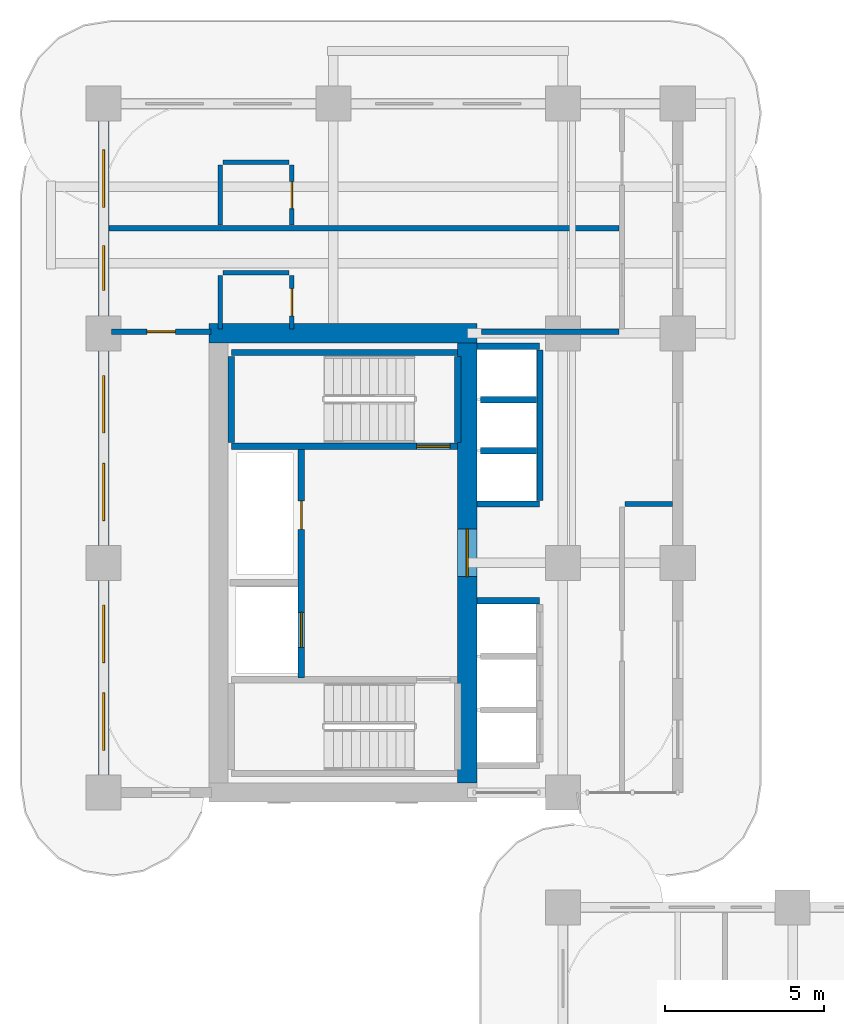
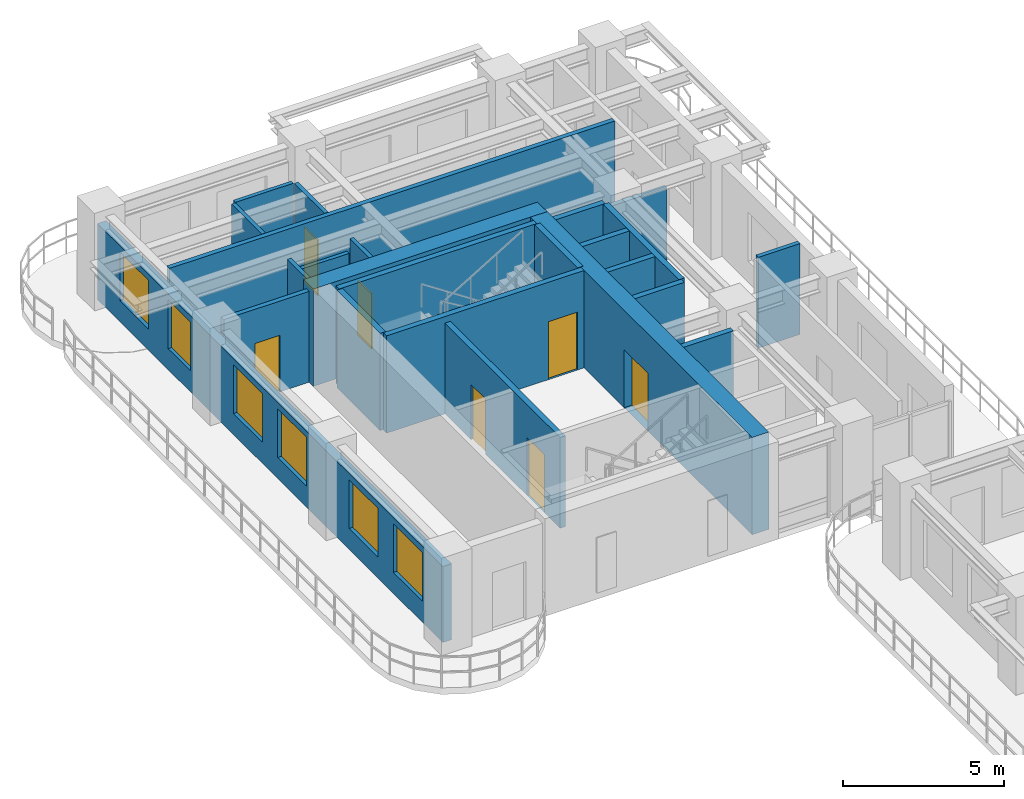
# One storey, part 11 of 19: 24 walls, 7 doors, 6 windows, 13 openings.
"""IFC4 building model written with IfcOpenShell, lengths in metres."""

from ifc_helpers import new_model, si_unit, derived_unit, direction, frame, frame_2d, origin, place, context, subcontext, project, spatial, rectangle, extrude, source, transform, mapped, material, layer, layer_set, type_object, type_shapes, element, fill, save


model = new_model("IFC4")

# Units and contexts
model_context = context("Model", 3, precision=1e-05, world=origin(), true_north=direction((0.0, 1.0)))
body_context = subcontext(model_context, "Body", "Model", "MODEL_VIEW")
ifc_project = project(units=[si_unit("LENGTHUNIT", "METRE"), si_unit("AREAUNIT", "SQUARE_METRE"), si_unit("VOLUMEUNIT", "CUBIC_METRE"), si_unit("PLANEANGLEUNIT", "RADIAN"), si_unit("MASSUNIT", "GRAM", prefix="KILO"), si_unit("THERMODYNAMICTEMPERATUREUNIT", "KELVIN"), si_unit("POWERUNIT", "WATT"), derived_unit("THERMALTRANSMITTANCEUNIT", [(si_unit("POWERUNIT", "WATT"), 1), (si_unit("AREAUNIT", "SQUARE_METRE"), -1), (si_unit("THERMODYNAMICTEMPERATUREUNIT", "KELVIN"), -1)])], contexts=[model_context])

# Site, building, storey
site_placement = place(None, origin())
site = spatial("IfcSite", under=ifc_project, at=site_placement, CompositionType="ELEMENT")
building_placement = place(site_placement, origin())
building = spatial("IfcBuilding", under=site, at=building_placement, Name="Zahravan Archway Hotel and Residences", CompositionType="ELEMENT")
storey_placement = place(building_placement, frame((0.0, 0.0, 32.39990234375)))
storey = spatial("IfcBuildingStorey", under=building, at=storey_placement, Name="L06", CompositionType="ELEMENT", Elevation=32.39990234375)

# Wall
ifc_material_1 = material(Name="Concrete C70/85", Category="concrete")
ifc_layer_1 = layer(ifc_material_1, 0.60009765625, Name="Concrete C70/85", Category="concrete")
ifc_layer_set_1 = layer_set([ifc_layer_1], Name="Concrete C70/85")
wall_type_1 = type_object("IfcWallType", Name="CW-CORE-600", PredefinedType="SHEAR", material=ifc_layer_set_1)
wall_1_placement = place(storey_placement, frame((3.300048828125, 39.60009765625, 0.0), z_axis=(0.0, 0.0, 1.0), x_axis=(1.0, 0.0, 0.0)))
element("IfcWall", 1, at=wall_1_placement, inside=storey, type_object=wall_type_1, Name="L06 Core B Shear N Wall 600 mm", PredefinedType="SHEAR", context=body_context, shape_type="SweptSolid", body=[
    extrude(rectangle(XDim=8.39990234375, YDim=0.60009765625, at=frame_2d((4.199951171875, 0.0))), origin(), (0.0, 0.0, 1.0), 3.7001953125),
])

# Wall, opening, door
wall_2_placement = place(storey_placement, frame((11.39990234375, 25.5, 0.0), z_axis=(0.0, 0.0, 1.0), x_axis=(0.0, 1.0, 0.0)))
wall_2 = element("IfcWall", 2, at=wall_2_placement, inside=storey, type_object=wall_type_1, Name="L06 Core B Shear E Wall 600 mm", PredefinedType="SHEAR", context=body_context, shape_type="SweptSolid", body=[
    extrude(rectangle(XDim=13.800048828125, YDim=0.60009765625, at=frame_2d((6.89990234375, 0.0))), origin(), (0.0, 0.0, 1.0), 3.7001953125),
])
opening_1_placement = place(wall_2_placement, frame((6.469970703125, 0.0, 0.0)))
opening_1 = element("IfcOpeningElement", 3, at=opening_1_placement, cuts=wall_2, Name="Opening FD-L1", PredefinedType="OPENING", context=body_context, shape_type="SweptSolid", body=[
    extrude(rectangle(XDim=1.5, YDim=2.199951171875, at=frame_2d((0.75, 1.10009765625))), frame((0.0, 0.31005859375, 0.0), z_axis=(0.0, -1.0, 0.0), x_axis=(1.0, 0.0, 0.0)), (0.0, 0.0, 1.0), 0.6201171875),
])
ifc_material_2 = material(Name="Fire-Rated Painted Steel", Category="steel")
door_type_1 = type_object("IfcDoorType", Name="FD-LOBBY-1500", OperationType="DOUBLE_DOOR_SINGLE_SWING", PredefinedType="DOOR", material=ifc_material_2)
shared_shape_1 = source(origin(), body_context, "Body", "SweptSolid", [
    extrude(rectangle(XDim=1.5, YDim=2.199951171875, at=frame_2d((0.75, 1.10009765625))), frame((0.0, 0.02490234375, 0.0), z_axis=(0.0, -1.0, 0.0), x_axis=(1.0, 0.0, 0.0)), (0.0, 0.0, 1.0), 0.050048828125),
])
type_shapes(door_type_1, [shared_shape_1])
door_1_placement = place(opening_1_placement, origin())
door_1 = element("IfcDoor", 4, at=door_1_placement, inside=storey, type_object=door_type_1, Name="L06 Core B FSAE Lobby Door", OperationType="DOUBLE_DOOR_SINGLE_SWING", OverallHeight=2.199951171875, OverallWidth=1.5, PredefinedType="DOOR", context=body_context, shape_type="MappedRepresentation", body=[
    mapped(shared_shape_1, transform((0.0, 0.0, 0.0), scale=1.0)),
])
fill(opening_1, door_1)

# Wall, openings, windows
ifc_material_3 = material(Name="Agra Buff Sandstone & Insulated Backup", Category="masonry")
ifc_layer_2 = layer(ifc_material_3, 0.320068359375, Name="Agra Buff Sandstone & Insulated Backup", Category="masonry")
ifc_layer_set_2 = layer_set([ifc_layer_2], Name="Agra Buff Sandstone & Insulated Backup")
wall_type_2 = type_object("IfcWallType", Name="EW-SAND-320", PredefinedType="SOLIDWALL", material=ifc_layer_set_2)
wall_3_placement = place(storey_placement, frame((0.0, 25.25, 0.0), z_axis=(0.0, 0.0, 1.0), x_axis=(0.0, 1.0, 0.0)))
wall_3 = element("IfcWall", 5, at=wall_3_placement, inside=storey, type_object=wall_type_2, Name="L06 Exterior Sandstone Wall WB-W", PredefinedType="SOLIDWALL", context=body_context, shape_type="SweptSolid", body=[
    extrude(rectangle(XDim=21.5, YDim=0.320068359375, at=frame_2d((10.75, 0.0))), origin(), (0.0, 0.0, 1.0), 2.885009765625),
])
opening_2_placement = place(wall_3_placement, frame((1.27490234375, 0.0, 0.800048828125)))
opening_2 = element("IfcOpeningElement", 6, at=opening_2_placement, cuts=wall_3, Name="Opening W-02", PredefinedType="OPENING", context=body_context, shape_type="SweptSolid", body=[
    extrude(rectangle(XDim=1.800048828125, YDim=1.85009765625, at=frame_2d((0.89990234375, 0.925048828125))), frame((0.0, 0.169921875, 0.0), z_axis=(0.0, -1.0, 0.0), x_axis=(1.0, 0.0, 0.0)), (0.0, 0.0, 1.0), 0.340087890625),
])
opening_3_placement = place(wall_3_placement, frame((4.02490234375, 0.0, 0.800048828125)))
opening_3 = element("IfcOpeningElement", 7, at=opening_3_placement, cuts=wall_3, Name="Opening W-02", PredefinedType="OPENING", context=body_context, shape_type="SweptSolid", body=[
    extrude(rectangle(XDim=1.800048828125, YDim=1.85009765625, at=frame_2d((0.89990234375, 0.925048828125))), frame((0.0, 0.169921875, 0.0), z_axis=(0.0, -1.0, 0.0), x_axis=(1.0, 0.0, 0.0)), (0.0, 0.0, 1.0), 0.340087890625),
])
opening_4_placement = place(wall_3_placement, frame((8.47509765625, 0.0, 0.800048828125)))
opening_4 = element("IfcOpeningElement", 8, at=opening_4_placement, cuts=wall_3, Name="Opening W-02", PredefinedType="OPENING", context=body_context, shape_type="SweptSolid", body=[
    extrude(rectangle(XDim=1.800048828125, YDim=1.85009765625, at=frame_2d((0.89990234375, 0.925048828125))), frame((0.0, 0.169921875, 0.0), z_axis=(0.0, -1.0, 0.0), x_axis=(1.0, 0.0, 0.0)), (0.0, 0.0, 1.0), 0.340087890625),
])
opening_5_placement = place(wall_3_placement, frame((11.22509765625, 0.0, 0.800048828125)))
opening_5 = element("IfcOpeningElement", 9, at=opening_5_placement, cuts=wall_3, Name="Opening W-02", PredefinedType="OPENING", context=body_context, shape_type="SweptSolid", body=[
    extrude(rectangle(XDim=1.800048828125, YDim=1.85009765625, at=frame_2d((0.89990234375, 0.925048828125))), frame((0.0, 0.169921875, 0.0), z_axis=(0.0, -1.0, 0.0), x_axis=(1.0, 0.0, 0.0)), (0.0, 0.0, 1.0), 0.340087890625),
])
opening_6_placement = place(wall_3_placement, frame((15.697021484375, 0.0, 0.800048828125)))
opening_6 = element("IfcOpeningElement", 10, at=opening_6_placement, cuts=wall_3, Name="Opening W-03", PredefinedType="OPENING", context=body_context, shape_type="SweptSolid", body=[
    extrude(rectangle(XDim=1.39990234375, YDim=1.85009765625, at=frame_2d((0.699951171875, 0.925048828125))), frame((0.0, 0.169921875, 0.0), z_axis=(0.0, -1.0, 0.0), x_axis=(1.0, 0.0, 0.0)), (0.0, 0.0, 1.0), 0.340087890625),
])
opening_7_placement = place(wall_3_placement, frame((18.302978515625, 0.0, 0.800048828125)))
opening_7 = element("IfcOpeningElement", 11, at=opening_7_placement, cuts=wall_3, Name="Opening W-02", PredefinedType="OPENING", context=body_context, shape_type="SweptSolid", body=[
    extrude(rectangle(XDim=1.800048828125, YDim=1.85009765625, at=frame_2d((0.89990234375, 0.925048828125))), frame((0.0, 0.169921875, 0.0), z_axis=(0.0, -1.0, 0.0), x_axis=(1.0, 0.0, 0.0)), (0.0, 0.0, 1.0), 0.340087890625),
])
ifc_material_4 = material(Name="Bronze-Anodized Thermal-Break Aluminium & Low-E Glass", Category="aluminium")
window_type_1 = type_object("IfcWindowType", Name="WIN-TWR-1400", PartitioningType="SINGLE_PANEL", PredefinedType="WINDOW", material=ifc_material_4)
shared_shape_2 = source(origin(), body_context, "Body", "SweptSolid", [
    extrude(rectangle(XDim=1.39990234375, YDim=1.85009765625, at=frame_2d((0.699951171875, 0.925048828125))), frame((0.0, 0.030029296875, 0.0), z_axis=(0.0, -1.0, 0.0), x_axis=(1.0, 0.0, 0.0)), (0.0, 0.0, 1.0), 0.06005859375),
])
type_shapes(window_type_1, [shared_shape_2])
window_1_placement = place(opening_6_placement, origin())
window_1 = element("IfcWindow", 12, at=window_1_placement, inside=storey, type_object=window_type_1, Name="L06 Loggia Window 45", OverallHeight=1.85009765625, OverallWidth=1.39990234375, PartitioningType="SINGLE_PANEL", PredefinedType="WINDOW", context=body_context, shape_type="MappedRepresentation", body=[
    mapped(shared_shape_2, transform((0.0, 0.0, 0.0), scale=1.0)),
])
fill(opening_6, window_1)
window_type_2 = type_object("IfcWindowType", Name="WIN-TWR-1800", PartitioningType="DOUBLE_PANEL_VERTICAL", PredefinedType="WINDOW", material=ifc_material_4)
shared_shape_3 = source(origin(), body_context, "Body", "SweptSolid", [
    extrude(rectangle(XDim=1.800048828125, YDim=1.85009765625, at=frame_2d((0.89990234375, 0.925048828125))), frame((0.0, 0.030029296875, 0.0), z_axis=(0.0, -1.0, 0.0), x_axis=(1.0, 0.0, 0.0)), (0.0, 0.0, 1.0), 0.06005859375),
])
type_shapes(window_type_2, [shared_shape_3])
window_2_placement = place(opening_2_placement, origin())
window_2 = element("IfcWindow", 13, at=window_2_placement, inside=storey, type_object=window_type_2, Name="L06 Loggia Window 41", OverallHeight=1.85009765625, OverallWidth=1.800048828125, PartitioningType="DOUBLE_PANEL_VERTICAL", PredefinedType="WINDOW", context=body_context, shape_type="MappedRepresentation", body=[
    mapped(shared_shape_3, transform((0.0, 0.0, 0.0), scale=1.0)),
])
fill(opening_2, window_2)
window_3_placement = place(opening_3_placement, origin())
window_3 = element("IfcWindow", 14, at=window_3_placement, inside=storey, type_object=window_type_2, Name="L06 Loggia Window 42", OverallHeight=1.85009765625, OverallWidth=1.800048828125, PartitioningType="DOUBLE_PANEL_VERTICAL", PredefinedType="WINDOW", context=body_context, shape_type="MappedRepresentation", body=[
    mapped(shared_shape_3, transform((0.0, 0.0, 0.0), scale=1.0)),
])
fill(opening_3, window_3)
window_4_placement = place(opening_4_placement, origin())
window_4 = element("IfcWindow", 15, at=window_4_placement, inside=storey, type_object=window_type_2, Name="L06 Loggia Window 43", OverallHeight=1.85009765625, OverallWidth=1.800048828125, PartitioningType="DOUBLE_PANEL_VERTICAL", PredefinedType="WINDOW", context=body_context, shape_type="MappedRepresentation", body=[
    mapped(shared_shape_3, transform((0.0, 0.0, 0.0), scale=1.0)),
])
fill(opening_4, window_4)
window_5_placement = place(opening_5_placement, origin())
window_5 = element("IfcWindow", 16, at=window_5_placement, inside=storey, type_object=window_type_2, Name="L06 Loggia Window 44", OverallHeight=1.85009765625, OverallWidth=1.800048828125, PartitioningType="DOUBLE_PANEL_VERTICAL", PredefinedType="WINDOW", context=body_context, shape_type="MappedRepresentation", body=[
    mapped(shared_shape_3, transform((0.0, 0.0, 0.0), scale=1.0)),
])
fill(opening_5, window_5)
window_6_placement = place(opening_7_placement, origin())
window_6 = element("IfcWindow", 17, at=window_6_placement, inside=storey, type_object=window_type_2, Name="L06 Loggia Window 46", OverallHeight=1.85009765625, OverallWidth=1.800048828125, PartitioningType="DOUBLE_PANEL_VERTICAL", PredefinedType="WINDOW", context=body_context, shape_type="MappedRepresentation", body=[
    mapped(shared_shape_3, transform((0.0, 0.0, 0.0), scale=1.0)),
])
fill(opening_7, window_6)

# Walls
ifc_material_5 = material(Name="Fire-Rated Gypsum & Concrete Block", Category="concrete")
ifc_layer_3 = layer(ifc_material_5, 0.159912109375, Name="Fire-Rated Gypsum & Concrete Block", Category="concrete")
ifc_layer_set_3 = layer_set([ifc_layer_3], Name="Fire-Rated Gypsum & Concrete Block")
wall_type_3 = type_object("IfcWallType", Name="PW-CORR-160", PredefinedType="PARTITIONING", material=ifc_layer_set_3)
wall_4_placement = place(storey_placement, frame((16.340087890625, 34.25, 0.0), z_axis=(0.0, 0.0, 1.0), x_axis=(1.0, 0.0, 0.0)))
element("IfcWall", 18, at=wall_4_placement, inside=storey, type_object=wall_type_3, Name="L06 Partition WB-CS", PredefinedType="PARTITIONING", context=body_context, shape_type="SweptSolid", body=[
    extrude(rectangle(XDim=1.491943359375, YDim=0.159912109375, at=frame_2d((0.74609375, 0.0))), origin(), (0.0, 0.0, 1.0), 3.4501953125),
])
wall_5_placement = place(storey_placement, frame((11.840087890625, 39.64990234375, 0.0), z_axis=(0.0, 0.0, 1.0), x_axis=(1.0, 0.0, 0.0)))
element("IfcWall", 19, at=wall_5_placement, inside=storey, type_object=wall_type_3, Name="L06 Partition WB-NS2", PredefinedType="PARTITIONING", context=body_context, shape_type="SweptSolid", body=[
    extrude(rectangle(XDim=4.31982421875, YDim=0.159912109375, at=frame_2d((2.159912109375, 0.0))), origin(), (0.0, 0.0, 1.0), 2.885009765625),
])

# Wall, openings, doors
ifc_layer_4 = layer(ifc_material_5, 0.199951171875, Name="Fire-Rated Gypsum & Concrete Block", Category="concrete")
ifc_layer_set_4 = layer_set([ifc_layer_4], Name="Fire-Rated Gypsum & Concrete Block")
wall_type_4 = type_object("IfcWallType", Name="PW-SHAFT-200", PredefinedType="PARTITIONING", material=ifc_layer_set_4)
wall_6_placement = place(storey_placement, frame((6.199951171875, 28.7900390625, 0.0), z_axis=(0.0, 0.0, 1.0), x_axis=(0.0, 1.0, 0.0)))
wall_6 = element("IfcWall", 20, at=wall_6_placement, inside=storey, type_object=wall_type_4, Name="L06 Partition CB-FL3E", PredefinedType="PARTITIONING", context=body_context, shape_type="SweptSolid", body=[
    extrude(rectangle(XDim=7.219970703125, YDim=0.199951171875, at=frame_2d((3.60986328125, 0.0))), origin(), (0.0, 0.0, 1.0), 3.4501953125),
])
opening_8_placement = place(wall_6_placement, frame((4.659912109375, 0.0, 0.0)))
opening_8 = element("IfcOpeningElement", 21, at=opening_8_placement, cuts=wall_6, Name="Opening FD-R1", PredefinedType="OPENING", context=body_context, shape_type="SweptSolid", body=[
    extrude(rectangle(XDim=0.89990234375, YDim=2.10009765625, at=frame_2d((0.449951171875, 1.050048828125))), frame((0.0, 0.10986328125, 0.0), z_axis=(0.0, -1.0, 0.0), x_axis=(1.0, 0.0, 0.0)), (0.0, 0.0, 1.0), 0.219970703125),
])
opening_9_placement = place(wall_6_placement, frame((0.9599609375, 0.0, 0.0)))
opening_9 = element("IfcOpeningElement", 22, at=opening_9_placement, cuts=wall_6, Name="Opening LD", PredefinedType="OPENING", context=body_context, shape_type="SweptSolid", body=[
    extrude(rectangle(XDim=1.10009765625, YDim=2.199951171875, at=frame_2d((0.550048828125, 1.10009765625))), frame((0.0, 0.10986328125, 0.0), z_axis=(0.0, -1.0, 0.0), x_axis=(1.0, 0.0, 0.0)), (0.0, 0.0, 1.0), 0.219970703125),
])
door_type_2 = type_object("IfcDoorType", Name="FD-RISER-900", OperationType="NOTDEFINED", PredefinedType="DOOR", material=ifc_material_2)
shared_shape_4 = source(origin(), body_context, "Body", "SweptSolid", [
    extrude(rectangle(XDim=0.89990234375, YDim=2.10009765625, at=frame_2d((0.449951171875, 1.050048828125))), frame((0.0, 0.02490234375, 0.0), z_axis=(0.0, -1.0, 0.0), x_axis=(1.0, 0.0, 0.0)), (0.0, 0.0, 1.0), 0.050048828125),
])
type_shapes(door_type_2, [shared_shape_4])
door_2_placement = place(opening_8_placement, origin())
door_2 = element("IfcDoor", 23, at=door_2_placement, inside=storey, type_object=door_type_2, Name="L06 Core B Riser Door", OperationType="SINGLE_SWING_LEFT", OverallHeight=2.10009765625, OverallWidth=0.89990234375, PredefinedType="DOOR", context=body_context, shape_type="MappedRepresentation", body=[
    mapped(shared_shape_4, transform((0.0, 0.0, 0.0), scale=1.0)),
])
fill(opening_8, door_2)
ifc_material_6 = material(Name="Brushed Stainless Steel", Category="steel")
door_type_3 = type_object("IfcDoorType", Name="DR-LIFT-LD", OperationType="SLIDING_TO_LEFT", PredefinedType="DOOR", material=ifc_material_6)
shared_shape_5 = source(origin(), body_context, "Body", "SweptSolid", [
    extrude(rectangle(XDim=1.10009765625, YDim=2.199951171875, at=frame_2d((0.550048828125, 1.10009765625))), frame((0.0, 0.02490234375, 0.0), z_axis=(0.0, -1.0, 0.0), x_axis=(1.0, 0.0, 0.0)), (0.0, 0.0, 1.0), 0.050048828125),
])
type_shapes(door_type_3, [shared_shape_5])
door_3_placement = place(opening_9_placement, origin())
door_3 = element("IfcDoor", 24, at=door_3_placement, inside=storey, type_object=door_type_3, Name="L06 Lift FL-3 Sliding Landing Door", OperationType="SLIDING_TO_LEFT", OverallHeight=2.199951171875, OverallWidth=1.10009765625, PredefinedType="DOOR", context=body_context, shape_type="MappedRepresentation", body=[
    mapped(shared_shape_5, transform((0.0, 0.0, 0.0), scale=1.0)),
])
fill(opening_9, door_3)

# Walls
for number, where, z_axis, x_axis, name in (
    (25, (11.7099609375, 31.2099609375, 0.0), (0.0, 0.0, 1.0), (1.0, 0.0, 0.0), "L06 Partition B1-N"),
    (26, (11.7099609375, 34.25, 0.0), (0.0, 0.0, 1.0), (1.0, 0.0, 0.0), "L06 Partition B2-S"),
    (27, (11.7099609375, 39.18994140625, 0.0), (0.0, 0.0, 1.0), (1.0, 0.0, 0.0), "L06 Partition B2-N"),
):
    element("IfcWall", number, at=place(storey_placement, frame(where, z_axis=z_axis, x_axis=x_axis)), inside=storey, type_object=wall_type_4, Name=name, PredefinedType="PARTITIONING", context=body_context, shape_type="SweptSolid", body=[
        extrude(rectangle(XDim=1.9599609375, YDim=0.199951171875, at=frame_2d((0.97998046875, 0.0))), origin(), (0.0, 0.0, 1.0), 3.4501953125),
    ])
wall_7_placement = place(storey_placement, frame((13.679931640625, 34.360107421875, 0.0), z_axis=(0.0, 0.0, 1.0), x_axis=(0.0, 1.0, 0.0)))
element("IfcWall", 28, at=wall_7_placement, inside=storey, type_object=wall_type_4, Name="L06 Partition B2-E", PredefinedType="PARTITIONING", context=body_context, shape_type="SweptSolid", body=[
    extrude(rectangle(XDim=4.719970703125, YDim=0.199951171875, at=frame_2d((2.35986328125, 0.0))), origin(), (0.0, 0.0, 1.0), 3.4501953125),
])
for number, where, z_axis, x_axis, name in (
    (29, (11.81005859375, 35.919921875, 0.0), (0.0, 0.0, 1.0), (1.0, 0.0, 0.0), "L06 Partition B2-D"),
    (30, (11.81005859375, 37.52001953125, 0.0), (0.0, 0.0, 1.0), (1.0, 0.0, 0.0), "L06 Partition B2-D"),
):
    element("IfcWall", number, at=place(storey_placement, frame(where, z_axis=z_axis, x_axis=x_axis)), inside=storey, type_object=wall_type_4, Name=name, PredefinedType="PARTITIONING", context=body_context, shape_type="SweptSolid", body=[
        extrude(rectangle(XDim=1.760009765625, YDim=0.199951171875, at=frame_2d((0.8798828125, 0.0))), origin(), (0.0, 0.0, 1.0), 3.4501953125),
    ])

# Wall, opening, door
ifc_material_7 = material(Name="Acoustic Stud Partition")
ifc_layer_5 = layer(ifc_material_7, 0.169921875, Name="Acoustic Stud Partition")
ifc_layer_set_5 = layer_set([ifc_layer_5], Name="Acoustic Stud Partition")
wall_type_5 = type_object("IfcWallType", Name="PW-UNIT-170", PredefinedType="PARTITIONING", material=ifc_layer_set_5)
wall_8_placement = place(storey_placement, frame((0.239990234375, 39.64990234375, 0.0), z_axis=(0.0, 0.0, 1.0), x_axis=(1.0, 0.0, 0.0)))
wall_8 = element("IfcWall", 31, at=wall_8_placement, inside=storey, type_object=wall_type_5, Name="L06 Partition WB-NS", PredefinedType="PARTITIONING", context=body_context, shape_type="SweptSolid", body=[
    extrude(rectangle(XDim=3.1201171875, YDim=0.169921875, at=frame_2d((1.56005859375, 0.0))), origin(), (0.0, 0.0, 1.0), 3.4501953125),
])
opening_10_placement = place(wall_8_placement, frame((1.110107421875, 0.0, 0.0)))
opening_10 = element("IfcOpeningElement", 32, at=opening_10_placement, cuts=wall_8, Name="Opening D-I2", PredefinedType="OPENING", context=body_context, shape_type="SweptSolid", body=[
    extrude(rectangle(XDim=0.89990234375, YDim=2.14990234375, at=frame_2d((0.449951171875, 1.074951171875))), frame((0.0, 0.094970703125, 0.0), z_axis=(0.0, -1.0, 0.0), x_axis=(1.0, 0.0, 0.0)), (0.0, 0.0, 1.0), 0.18994140625),
])
ifc_material_8 = material(Name="Hardwood Veneer Timber", Category="wood")
door_type_4 = type_object("IfcDoorType", Name="ID-INT-900", OperationType="NOTDEFINED", PredefinedType="DOOR", material=ifc_material_8)
shared_shape_6 = source(origin(), body_context, "Body", "SweptSolid", [
    extrude(rectangle(XDim=0.89990234375, YDim=2.14990234375, at=frame_2d((0.449951171875, 1.074951171875))), frame((0.0, 0.02490234375, 0.0), z_axis=(0.0, -1.0, 0.0), x_axis=(1.0, 0.0, 0.0)), (0.0, 0.0, 1.0), 0.050048828125),
])
type_shapes(door_type_4, [shared_shape_6])
door_4_placement = place(opening_10_placement, origin())
door_4 = element("IfcDoor", 33, at=door_4_placement, inside=storey, type_object=door_type_4, Name="L06 Wing B West Loggia Salon Door", OperationType="SINGLE_SWING_RIGHT", OverallHeight=2.14990234375, OverallWidth=0.89990234375, PredefinedType="DOOR", context=body_context, shape_type="MappedRepresentation", body=[
    mapped(shared_shape_6, transform((0.0, 0.0, 0.0), scale=1.0)),
])
fill(opening_10, door_4)

# Walls
wall_9_placement = place(storey_placement, frame((0.16796875, 42.89990234375, 0.0), z_axis=(0.0, 0.0, 1.0), x_axis=(1.0, 0.0, 0.0)))
element("IfcWall", 34, at=wall_9_placement, inside=storey, type_object=wall_type_5, Name="L06 Partition WB-NH", PredefinedType="PARTITIONING", context=body_context, shape_type="SweptSolid", body=[
    extrude(rectangle(XDim=15.991943359375, YDim=0.169921875, at=frame_2d((7.99609375, 0.0))), origin(), (0.0, 0.0, 1.0), 3.4501953125),
])
ifc_material_9 = material(Name="Moisture-Resistant Blockwork", Category="masonry")
ifc_layer_6 = layer(ifc_material_9, 0.139892578125, Name="Moisture-Resistant Blockwork", Category="masonry")
ifc_layer_set_6 = layer_set([ifc_layer_6], Name="Moisture-Resistant Blockwork")
wall_type_6 = type_object("IfcWallType", Name="PW-WET-140", PredefinedType="PARTITIONING", material=ifc_layer_set_6)
wall_10_placement = place(storey_placement, frame((3.64990234375, 39.739990234375, 0.0), z_axis=(0.0, 0.0, 1.0), x_axis=(0.0, 1.0, 0.0)))
element("IfcWall", 35, at=wall_10_placement, inside=storey, type_object=wall_type_6, Name="L06 Partition HKB-VL61", PredefinedType="PARTITIONING", context=body_context, shape_type="SweptSolid", body=[
    extrude(rectangle(XDim=1.669921875, YDim=0.139892578125, at=frame_2d((0.8349609375, 0.0))), origin(), (0.0, 0.0, 1.0), 3.4501953125),
])
wall_11_placement = place(storey_placement, frame((3.739990234375, 41.5, 0.0), z_axis=(0.0, 0.0, 1.0), x_axis=(1.0, 0.0, 0.0)))
element("IfcWall", 36, at=wall_11_placement, inside=storey, type_object=wall_type_6, Name="L06 Partition HKB-H61", PredefinedType="PARTITIONING", context=body_context, shape_type="SweptSolid", body=[
    extrude(rectangle(XDim=2.070068359375, YDim=0.139892578125, at=frame_2d((1.03515625, 0.0))), origin(), (0.0, 0.0, 1.0), 2.885009765625),
])

# Wall, opening, door
wall_12_placement = place(storey_placement, frame((5.89990234375, 39.739990234375, 0.0), z_axis=(0.0, 0.0, 1.0), x_axis=(0.0, 1.0, 0.0)))
wall_12 = element("IfcWall", 37, at=wall_12_placement, inside=storey, type_object=wall_type_6, Name="L06 Partition HKB-V61", PredefinedType="PARTITIONING", context=body_context, shape_type="SweptSolid", body=[
    extrude(rectangle(XDim=1.669921875, YDim=0.139892578125, at=frame_2d((0.8349609375, 0.0))), origin(), (0.0, 0.0, 1.0), 3.4501953125),
])
opening_11_placement = place(wall_12_placement, frame((0.409912109375, 0.0, 0.0)))
opening_11 = element("IfcOpeningElement", 38, at=opening_11_placement, cuts=wall_12, Name="Opening D-B1", PredefinedType="OPENING", context=body_context, shape_type="SweptSolid", body=[
    extrude(rectangle(XDim=0.85009765625, YDim=2.10009765625, at=frame_2d((0.425048828125, 1.050048828125))), frame((0.0, 0.080078125, 0.0), z_axis=(0.0, -1.0, 0.0), x_axis=(1.0, 0.0, 0.0)), (0.0, 0.0, 1.0), 0.159912109375),
])
door_type_5 = type_object("IfcDoorType", Name="ID-BATH-850", OperationType="NOTDEFINED", PredefinedType="DOOR", material=ifc_material_8)
shared_shape_7 = source(origin(), body_context, "Body", "SweptSolid", [
    extrude(rectangle(XDim=0.85009765625, YDim=2.10009765625, at=frame_2d((0.425048828125, 1.050048828125))), frame((0.0, 0.02490234375, 0.0), z_axis=(0.0, -1.0, 0.0), x_axis=(1.0, 0.0, 0.0)), (0.0, 0.0, 1.0), 0.050048828125),
])
type_shapes(door_type_5, [shared_shape_7])
door_5_placement = place(opening_11_placement, origin())
door_5 = element("IfcDoor", 39, at=door_5_placement, inside=storey, type_object=door_type_5, Name="L06 Guestroom 61 En-Suite Door", OperationType="SINGLE_SWING_RIGHT", OverallHeight=2.10009765625, OverallWidth=0.85009765625, PredefinedType="DOOR", context=body_context, shape_type="MappedRepresentation", body=[
    mapped(shared_shape_7, transform((0.0, 0.0, 0.0), scale=1.0)),
])
fill(opening_11, door_5)

# Walls
wall_13_placement = place(storey_placement, frame((3.64990234375, 42.989990234375, 0.0), z_axis=(0.0, 0.0, 1.0), x_axis=(0.0, 1.0, 0.0)))
element("IfcWall", 40, at=wall_13_placement, inside=storey, type_object=wall_type_6, Name="L06 Partition HKB-VL62", PredefinedType="PARTITIONING", context=body_context, shape_type="SweptSolid", body=[
    extrude(rectangle(XDim=1.882080078125, YDim=0.139892578125, at=frame_2d((0.94091796875, 0.0))), origin(), (0.0, 0.0, 1.0), 3.4501953125),
])
wall_14_placement = place(storey_placement, frame((3.739990234375, 44.9619140625, 0.0), z_axis=(0.0, 0.0, 1.0), x_axis=(1.0, 0.0, 0.0)))
element("IfcWall", 41, at=wall_14_placement, inside=storey, type_object=wall_type_6, Name="L06 Partition HKB-H62", PredefinedType="PARTITIONING", context=body_context, shape_type="SweptSolid", body=[
    extrude(rectangle(XDim=2.070068359375, YDim=0.139892578125, at=frame_2d((1.03515625, 0.0))), origin(), (0.0, 0.0, 1.0), 3.4501953125),
])

# Wall, opening, door
wall_15_placement = place(storey_placement, frame((5.89990234375, 42.989990234375, 0.0), z_axis=(0.0, 0.0, 1.0), x_axis=(0.0, 1.0, 0.0)))
wall_15 = element("IfcWall", 42, at=wall_15_placement, inside=storey, type_object=wall_type_6, Name="L06 Partition HKB-V62", PredefinedType="PARTITIONING", context=body_context, shape_type="SweptSolid", body=[
    extrude(rectangle(XDim=1.882080078125, YDim=0.139892578125, at=frame_2d((0.94091796875, 0.0))), origin(), (0.0, 0.0, 1.0), 3.4501953125),
])
opening_12_placement = place(wall_15_placement, frame((0.51611328125, 0.0, 0.0)))
opening_12 = element("IfcOpeningElement", 43, at=opening_12_placement, cuts=wall_15, Name="Opening D-B1", PredefinedType="OPENING", context=body_context, shape_type="SweptSolid", body=[
    extrude(rectangle(XDim=0.85009765625, YDim=2.10009765625, at=frame_2d((0.425048828125, 1.050048828125))), frame((0.0, 0.080078125, 0.0), z_axis=(0.0, -1.0, 0.0), x_axis=(1.0, 0.0, 0.0)), (0.0, 0.0, 1.0), 0.159912109375),
])
door_6_placement = place(opening_12_placement, origin())
door_6 = element("IfcDoor", 44, at=door_6_placement, inside=storey, type_object=door_type_5, Name="L06 Guestroom 62 En-Suite Door", OperationType="SINGLE_SWING_RIGHT", OverallHeight=2.10009765625, OverallWidth=0.85009765625, PredefinedType="DOOR", context=body_context, shape_type="MappedRepresentation", body=[
    mapped(shared_shape_7, transform((0.0, 0.0, 0.0), scale=1.0)),
])
fill(opening_12, door_6)

# Walls
ifc_material_10 = material(Name="Concrete C50/60", Category="concrete")
ifc_layer_7 = layer(ifc_material_10, 0.199951171875, Name="Concrete C50/60", Category="concrete")
ifc_layer_set_7 = layer_set([ifc_layer_7], Name="Concrete C50/60")
wall_type_7 = type_object("IfcWallType", Name="SW-STAIR-200", PredefinedType="SHEAR", material=ifc_layer_set_7)
wall_16_placement = place(storey_placement, frame((4.0, 39.0, 0.0), z_axis=(0.0, 0.0, 1.0), x_axis=(1.0, 0.0, 0.0)))
element("IfcWall", 45, at=wall_16_placement, inside=storey, type_object=wall_type_7, Name="L06 Stairwell RC Wall CB-SB2N", PredefinedType="SHEAR", context=body_context, shape_type="SweptSolid", body=[
    extrude(rectangle(XDim=7.10009765625, YDim=0.199951171875, at=frame_2d((3.550048828125, 0.0))), origin(), (0.0, 0.0, 1.0), 3.7001953125),
])
for number, where, z_axis, x_axis, name in (
    (46, (4.0, 36.179931640625, 0.0), (0.0, 0.0, 1.0), (0.0, 1.0, 0.0), "L06 Stairwell RC Wall CB-SB2W"),
    (47, (11.10009765625, 36.179931640625, 0.0), (0.0, 0.0, 1.0), (0.0, 1.0, 0.0), "L06 Stairwell RC Wall CB-SB2E"),
):
    element("IfcWall", number, at=place(storey_placement, frame(where, z_axis=z_axis, x_axis=x_axis)), inside=storey, type_object=wall_type_7, Name=name, PredefinedType="SHEAR", context=body_context, shape_type="SweptSolid", body=[
        extrude(rectangle(XDim=2.699951171875, YDim=0.199951171875, at=frame_2d((1.35009765625, 0.0))), origin(), (0.0, 0.0, 1.0), 3.7001953125),
    ])

# Wall, opening, door
wall_17_placement = place(storey_placement, frame((4.0, 36.06005859375, 0.0), z_axis=(0.0, 0.0, 1.0), x_axis=(1.0, 0.0, 0.0)))
wall_17 = element("IfcWall", 48, at=wall_17_placement, inside=storey, type_object=wall_type_7, Name="L06 Stairwell RC Wall CB-SB2S", PredefinedType="SHEAR", context=body_context, shape_type="SweptSolid", body=[
    extrude(rectangle(XDim=7.10009765625, YDim=0.199951171875, at=frame_2d((3.550048828125, 0.0))), origin(), (0.0, 0.0, 1.0), 3.7001953125),
])
opening_13_placement = place(wall_17_placement, frame((5.81494140625, 0.0, 0.0)))
opening_13 = element("IfcOpeningElement", 49, at=opening_13_placement, cuts=wall_17, Name="Opening FD-S1", PredefinedType="OPENING", context=body_context, shape_type="SweptSolid", body=[
    extrude(rectangle(XDim=1.050048828125, YDim=2.199951171875, at=frame_2d((0.52490234375, 1.10009765625))), frame((0.0, 0.10986328125, 0.0), z_axis=(0.0, -1.0, 0.0), x_axis=(1.0, 0.0, 0.0)), (0.0, 0.0, 1.0), 0.219970703125),
])
door_type_6 = type_object("IfcDoorType", Name="FD-STAIR-1100", OperationType="NOTDEFINED", PredefinedType="DOOR", material=ifc_material_2)
shared_shape_8 = source(origin(), body_context, "Body", "SweptSolid", [
    extrude(rectangle(XDim=1.050048828125, YDim=2.199951171875, at=frame_2d((0.52490234375, 1.10009765625))), frame((0.0, 0.02490234375, 0.0), z_axis=(0.0, -1.0, 0.0), x_axis=(1.0, 0.0, 0.0)), (0.0, 0.0, 1.0), 0.050048828125),
])
type_shapes(door_type_6, [shared_shape_8])
door_7_placement = place(opening_13_placement, origin())
door_7 = element("IfcDoor", 50, at=door_7_placement, inside=storey, type_object=door_type_6, Name="L06 Stair ST-B2 Door", OperationType="SINGLE_SWING_RIGHT", OverallHeight=2.199951171875, OverallWidth=1.050048828125, PredefinedType="DOOR", context=body_context, shape_type="MappedRepresentation", body=[
    mapped(shared_shape_8, transform((0.0, 0.0, 0.0), scale=1.0)),
])
fill(opening_13, door_7)

save(model, "model.ifc")
